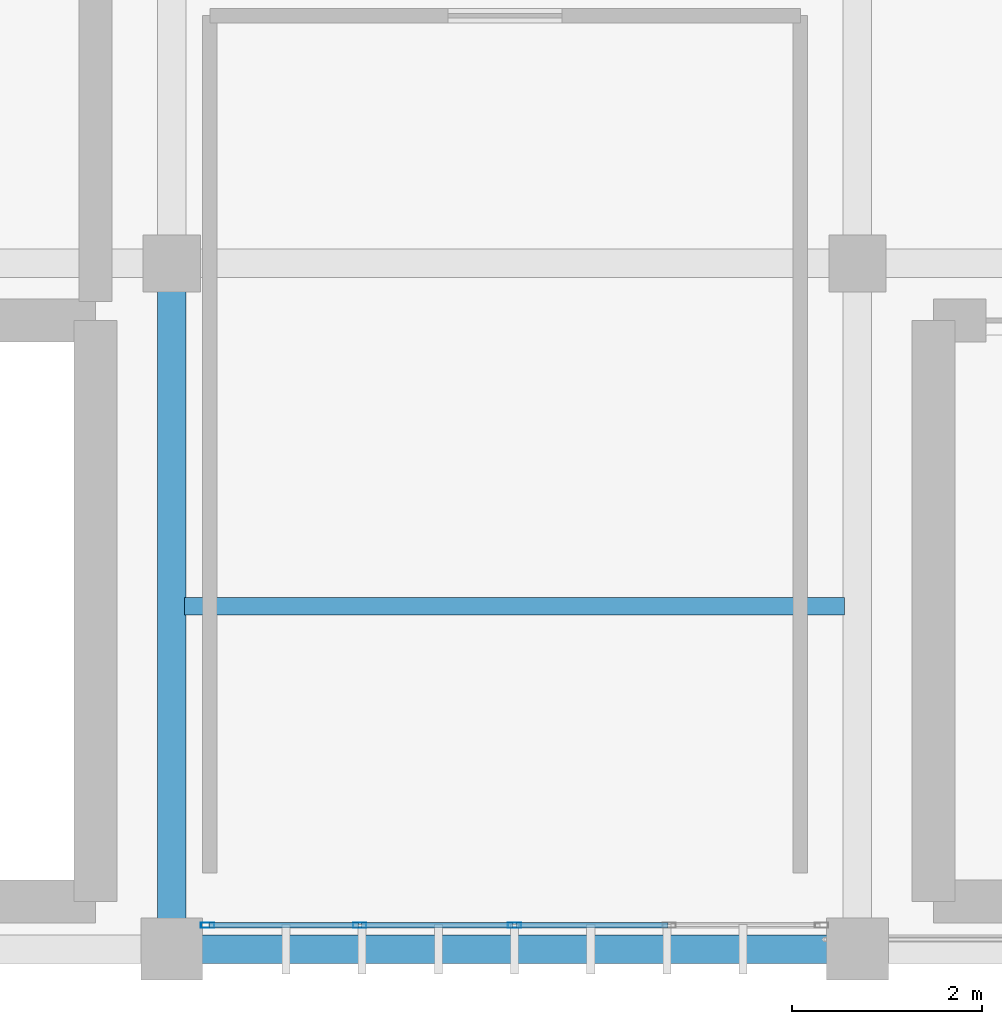
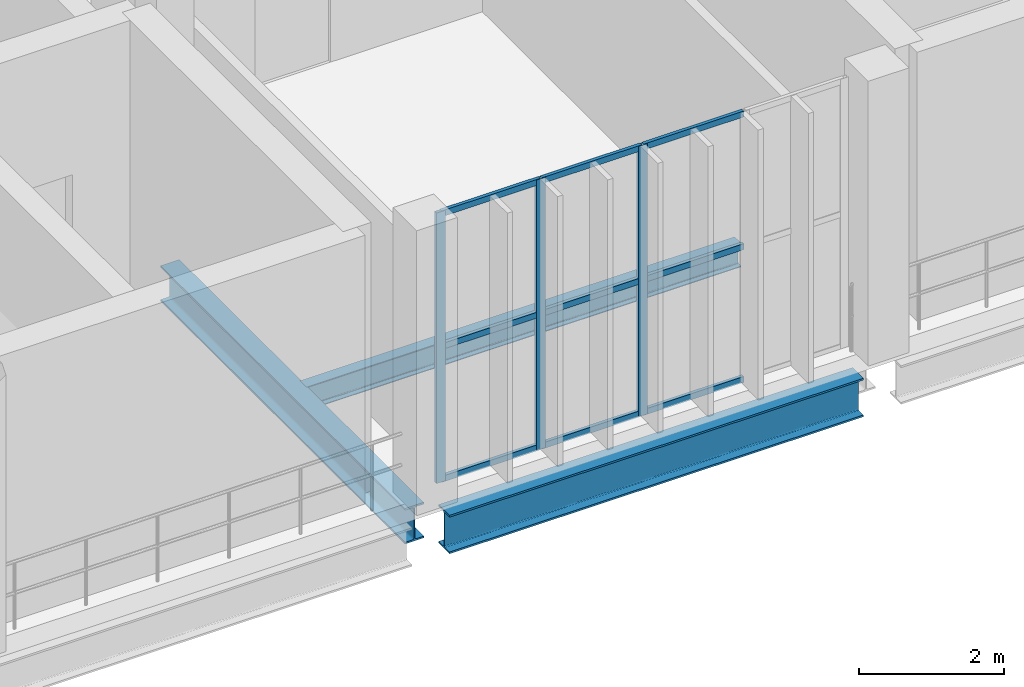
# One storey, part 9 of 105: 12 members, 3 beams, 1 element without a shape of its own.
"""IFC4 building model written with IfcOpenShell, lengths in metres."""

from ifc_helpers import new_model, si_unit, direction, frame, origin, origin_2d, place, context, subcontext, project, spatial, hollow_rectangle, i_section, extrude, material, material_profile, profile_set, type_object, element, aggregate, save


model = new_model("IFC4")

# Units and contexts
model_context = context("Model", 3, precision=1e-05, world=origin(), true_north=direction((0.0, 1.0)))
body_context = subcontext(model_context, "Body", "Model", "MODEL_VIEW")
ifc_project = project(units=[si_unit("LENGTHUNIT", "METRE"), si_unit("AREAUNIT", "SQUARE_METRE"), si_unit("VOLUMEUNIT", "CUBIC_METRE"), si_unit("PLANEANGLEUNIT", "RADIAN"), si_unit("MASSUNIT", "GRAM", prefix="KILO")], contexts=[model_context])

# Site, building, storey
site_placement = place(None, origin())
site = spatial("IfcSite", under=ifc_project, at=site_placement, CompositionType="ELEMENT")
building_placement = place(site_placement, origin())
building = spatial("IfcBuilding", under=site, at=building_placement, Name="Qandorah Velis Arena", CompositionType="ELEMENT")
storey_placement = place(building_placement, frame((0.0, 0.0, 13.800048828125)))
storey = spatial("IfcBuildingStorey", under=building, at=storey_placement, Name="L03", CompositionType="ELEMENT", Elevation=13.800048828125)

# Curtain wall, members
ifc_material_1 = material(Name="Solar-control low-E double glazing", Category="glass")
curtain_wall_type = type_object("IfcCurtainWallType", Name="ARC-CW-SYS20", PredefinedType="USERDEFINED", material=ifc_material_1)
curtain_wall_placement = place(storey_placement, origin())
curtain_wall = element("IfcCurtainWall", 1, at=curtain_wall_placement, inside=storey, type_object=curtain_wall_type, Name="Unitised curtain wall L03-068", ObjectType="UNITISED CURTAIN WALL", PredefinedType="USERDEFINED")
ifc_material_2 = material(Name="Champagne-bronze anodized aluminium 6063-T6", Category="aluminium")
ifc_material_profile_1 = material_profile(ifc_material_2, hollow_rectangle(XDim=0.054931640625, YDim=0.139892578125, WallThickness=0.0029296875, at=origin_2d()), Name="ALU MULLION 55x140")
ifc_profile_set_1 = profile_set([ifc_material_profile_1], Name="Champagne-bronze anodized aluminium 6063-T6")
member_type_1 = type_object("IfcMemberType", Name="ARC-CWM-140", PredefinedType="MULLION", material=ifc_profile_set_1)
member_1_placement = place(storey_placement, frame((43.577392578125, 0.25, -0.01513671875), z_axis=(0.0, 0.0, 1.0), x_axis=(0.0, 1.0, 0.0)))
member_1 = element("IfcMember", 2, at=member_1_placement, type_object=member_type_1, Name="CW20 mullion 1", PredefinedType="MULLION", context=body_context, shape_type="SweptSolid", body=[
    extrude(hollow_rectangle(XDim=0.054931640625, YDim=0.139892578125, WallThickness=0.0029296875, at=origin_2d()), origin(), (0.0, 0.0, 1.0), 4.56005859375),
])
member_2_placement = place(storey_placement, frame((45.175048828125, 0.25, -0.01513671875), z_axis=(0.0, 0.0, 1.0), x_axis=(0.0, 1.0, 0.0)))
member_2 = element("IfcMember", 3, at=member_2_placement, type_object=member_type_1, Name="CW20 mullion 2", PredefinedType="MULLION", context=body_context, shape_type="SweptSolid", body=[
    extrude(hollow_rectangle(XDim=0.054931640625, YDim=0.139892578125, WallThickness=0.0029296875, at=origin_2d()), origin(), (0.0, 0.0, 1.0), 4.56005859375),
])
member_3_placement = place(storey_placement, frame((46.800048828125, 0.25, -0.01513671875), z_axis=(0.0, 0.0, 1.0), x_axis=(0.0, 1.0, 0.0)))
member_3 = element("IfcMember", 4, at=member_3_placement, type_object=member_type_1, Name="CW20 mullion 3", PredefinedType="MULLION", context=body_context, shape_type="SweptSolid", body=[
    extrude(hollow_rectangle(XDim=0.054931640625, YDim=0.139892578125, WallThickness=0.0029296875, at=origin_2d()), origin(), (0.0, 0.0, 1.0), 4.56005859375),
])
ifc_material_profile_2 = material_profile(ifc_material_2, hollow_rectangle(XDim=0.054931640625, YDim=0.10009765625, WallThickness=0.0029296875, at=origin_2d()), Name="ALU TRANSOM 55x100")
ifc_profile_set_2 = profile_set([ifc_material_profile_2], Name="Champagne-bronze anodized aluminium 6063-T6")
member_type_2 = type_object("IfcMemberType", Name="ARC-CWT-100", PredefinedType="USERDEFINED", material=ifc_profile_set_2)
member_4_placement = place(storey_placement, frame((43.593017578125, 0.25, 0.02734375), z_axis=(1.0, 0.0, 0.0), x_axis=(0.0, 1.0, 0.0)))
member_4 = element("IfcMember", 5, at=member_4_placement, type_object=member_type_2, Name="CW20 transom 1.1", ObjectType="TRANSOM", PredefinedType="USERDEFINED", context=body_context, shape_type="SweptSolid", body=[
    extrude(hollow_rectangle(XDim=0.054931640625, YDim=0.10009765625, WallThickness=0.0029296875, at=origin_2d()), origin(), (0.0, 0.0, 1.0), 1.56640625),
])
member_5_placement = place(storey_placement, frame((43.593017578125, 0.25, 2.264892578125), z_axis=(1.0, 0.0, 0.0), x_axis=(0.0, 1.0, 0.0)))
member_5 = element("IfcMember", 6, at=member_5_placement, type_object=member_type_2, Name="CW20 transom 1.2", ObjectType="TRANSOM", PredefinedType="USERDEFINED", context=body_context, shape_type="SweptSolid", body=[
    extrude(hollow_rectangle(XDim=0.054931640625, YDim=0.10009765625, WallThickness=0.0029296875, at=origin_2d()), origin(), (0.0, 0.0, 1.0), 1.56640625),
])
member_6_placement = place(storey_placement, frame((43.593017578125, 0.25, 4.50244140625), z_axis=(1.0, 0.0, 0.0), x_axis=(0.0, 1.0, 0.0)))
member_6 = element("IfcMember", 7, at=member_6_placement, type_object=member_type_2, Name="CW20 transom 1.3", ObjectType="TRANSOM", PredefinedType="USERDEFINED", context=body_context, shape_type="SweptSolid", body=[
    extrude(hollow_rectangle(XDim=0.054931640625, YDim=0.10009765625, WallThickness=0.0029296875, at=origin_2d()), origin(), (0.0, 0.0, 1.0), 1.56640625),
])
member_7_placement = place(storey_placement, frame((45.1904296875, 0.25, 0.02734375), z_axis=(1.0, 0.0, 0.0), x_axis=(0.0, 1.0, 0.0)))
member_7 = element("IfcMember", 8, at=member_7_placement, type_object=member_type_2, Name="CW20 transom 2.1", ObjectType="TRANSOM", PredefinedType="USERDEFINED", context=body_context, shape_type="SweptSolid", body=[
    extrude(hollow_rectangle(XDim=0.054931640625, YDim=0.10009765625, WallThickness=0.0029296875, at=origin_2d()), origin(), (0.0, 0.0, 1.0), 1.593994140625),
])
member_8_placement = place(storey_placement, frame((45.1904296875, 0.25, 2.264892578125), z_axis=(1.0, 0.0, 0.0), x_axis=(0.0, 1.0, 0.0)))
member_8 = element("IfcMember", 9, at=member_8_placement, type_object=member_type_2, Name="CW20 transom 2.2", ObjectType="TRANSOM", PredefinedType="USERDEFINED", context=body_context, shape_type="SweptSolid", body=[
    extrude(hollow_rectangle(XDim=0.054931640625, YDim=0.10009765625, WallThickness=0.0029296875, at=origin_2d()), origin(), (0.0, 0.0, 1.0), 1.593994140625),
])
member_9_placement = place(storey_placement, frame((45.1904296875, 0.25, 4.50244140625), z_axis=(1.0, 0.0, 0.0), x_axis=(0.0, 1.0, 0.0)))
member_9 = element("IfcMember", 10, at=member_9_placement, type_object=member_type_2, Name="CW20 transom 2.3", ObjectType="TRANSOM", PredefinedType="USERDEFINED", context=body_context, shape_type="SweptSolid", body=[
    extrude(hollow_rectangle(XDim=0.054931640625, YDim=0.10009765625, WallThickness=0.0029296875, at=origin_2d()), origin(), (0.0, 0.0, 1.0), 1.593994140625),
])
member_10_placement = place(storey_placement, frame((46.8154296875, 0.25, 0.02734375), z_axis=(1.0, 0.0, 0.0), x_axis=(0.0, 1.0, 0.0)))
member_10 = element("IfcMember", 11, at=member_10_placement, type_object=member_type_2, Name="CW20 transom 3.1", ObjectType="TRANSOM", PredefinedType="USERDEFINED", context=body_context, shape_type="SweptSolid", body=[
    extrude(hollow_rectangle(XDim=0.054931640625, YDim=0.10009765625, WallThickness=0.0029296875, at=origin_2d()), origin(), (0.0, 0.0, 1.0), 1.593994140625),
])
member_11_placement = place(storey_placement, frame((46.8154296875, 0.25, 2.264892578125), z_axis=(1.0, 0.0, 0.0), x_axis=(0.0, 1.0, 0.0)))
member_11 = element("IfcMember", 12, at=member_11_placement, type_object=member_type_2, Name="CW20 transom 3.2", ObjectType="TRANSOM", PredefinedType="USERDEFINED", context=body_context, shape_type="SweptSolid", body=[
    extrude(hollow_rectangle(XDim=0.054931640625, YDim=0.10009765625, WallThickness=0.0029296875, at=origin_2d()), origin(), (0.0, 0.0, 1.0), 1.593994140625),
])
member_12_placement = place(storey_placement, frame((46.8154296875, 0.25, 4.50244140625), z_axis=(1.0, 0.0, 0.0), x_axis=(0.0, 1.0, 0.0)))
member_12 = element("IfcMember", 13, at=member_12_placement, type_object=member_type_2, Name="CW20 transom 3.3", ObjectType="TRANSOM", PredefinedType="USERDEFINED", context=body_context, shape_type="SweptSolid", body=[
    extrude(hollow_rectangle(XDim=0.054931640625, YDim=0.10009765625, WallThickness=0.0029296875, at=origin_2d()), origin(), (0.0, 0.0, 1.0), 1.593994140625),
])
aggregate(curtain_wall, [member_1, member_2, member_3, member_4, member_5, member_6, member_7, member_8, member_9, member_10, member_11, member_12])

# Beams
ifc_material_3 = material(Name="Steel S355", Category="steel")
ifc_material_profile_3 = material_profile(ifc_material_3, i_section(OverallWidth=0.300048828125, OverallDepth=0.60009765625, WebThickness=0.015380859375, FlangeThickness=0.030029296875, FilletRadius=0.027099609375, at=origin_2d()), Name="HEB 600")
ifc_profile_set_3 = profile_set([ifc_material_profile_3], Name="Steel S355")
beam_type_1 = type_object("IfcBeamType", Name="STR-BM-HEB600", PredefinedType="BEAM", material=ifc_profile_set_3)
beam_1_placement = place(storey_placement, frame((43.199951171875, 0.300048828125, -0.6201171875), z_axis=(0.0, 1.0, 0.0), x_axis=(-1.0, 0.0, 0.0)))
element("IfcBeam", 14, at=beam_1_placement, inside=storey, type_object=beam_type_1, Name="Primary floor girder L03 Y-242", PredefinedType="BEAM", context=body_context, shape_type="SweptSolid", body=[
    extrude(i_section(OverallWidth=0.300048828125, OverallDepth=0.60009765625, WebThickness=0.015380859375, FlangeThickness=0.030029296875, FilletRadius=0.027099609375, at=origin_2d()), origin(), (0.0, 0.0, 1.0), 6.75),
])
ifc_material_profile_4 = material_profile(ifc_material_3, i_section(OverallWidth=0.300048828125, OverallDepth=0.64990234375, WebThickness=0.01611328125, FlangeThickness=0.031005859375, FilletRadius=0.027099609375, at=origin_2d()), Name="HEB 650")
ifc_profile_set_4 = profile_set([ifc_material_profile_4], Name="Steel S355")
beam_type_2 = type_object("IfcBeamType", Name="STR-BM-HEB650", PredefinedType="BEAM", material=ifc_profile_set_4)
beam_2_placement = place(storey_placement, frame((43.5, 0.0, -0.64501953125), z_axis=(1.0, 0.0, 0.0), x_axis=(0.0, 1.0, 0.0)))
element("IfcBeam", 15, at=beam_2_placement, inside=storey, type_object=beam_type_2, Name="Primary floor girder L03 X-003", PredefinedType="BEAM", context=body_context, shape_type="SweptSolid", body=[
    extrude(i_section(OverallWidth=0.300048828125, OverallDepth=0.64990234375, WebThickness=0.01611328125, FlangeThickness=0.031005859375, FilletRadius=0.027099609375, at=origin_2d()), origin(), (0.0, 0.0, 1.0), 6.60009765625),
])
ifc_material_profile_5 = material_profile(ifc_material_3, i_section(OverallWidth=0.179931640625, OverallDepth=0.39990234375, WebThickness=0.008544921875, FlangeThickness=0.013427734375, FilletRadius=0.02099609375, at=origin_2d()), Name="IPE 400")
ifc_profile_set_5 = profile_set([ifc_material_profile_5], Name="Steel S355")
beam_type_3 = type_object("IfcBeamType", Name="STR-JST-IPE400", PredefinedType="JOIST", material=ifc_profile_set_5)
beam_3_placement = place(storey_placement, frame((43.3349609375, 3.60009765625, -0.52001953125), z_axis=(1.0, 0.0, 0.0), x_axis=(0.0, 1.0, 0.0)))
element("IfcBeam", 16, at=beam_3_placement, inside=storey, type_object=beam_type_3, Name="Secondary floor joist L03-043", PredefinedType="JOIST", context=body_context, shape_type="SweptSolid", body=[
    extrude(i_section(OverallWidth=0.179931640625, OverallDepth=0.39990234375, WebThickness=0.008544921875, FlangeThickness=0.013427734375, FilletRadius=0.02099609375, at=origin_2d()), origin(), (0.0, 0.0, 1.0), 6.929931640625),
])

save(model, "model.ifc")
